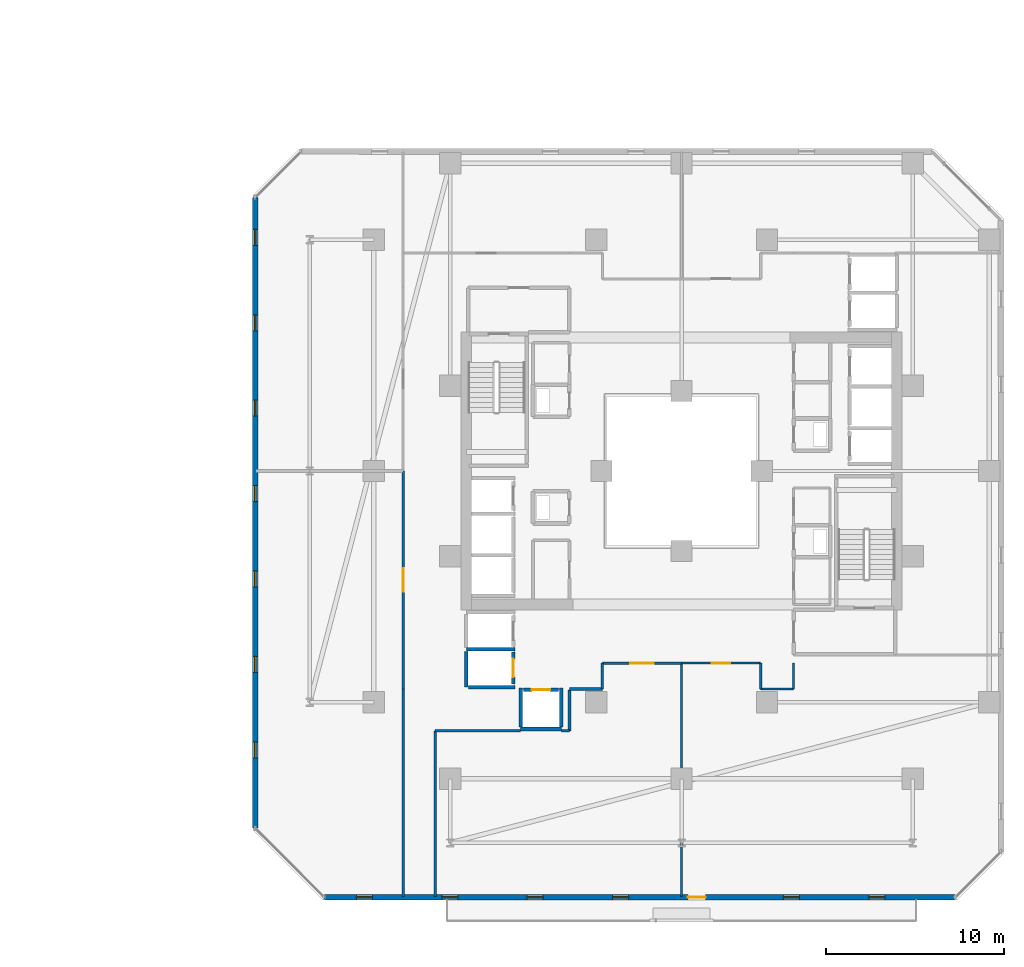
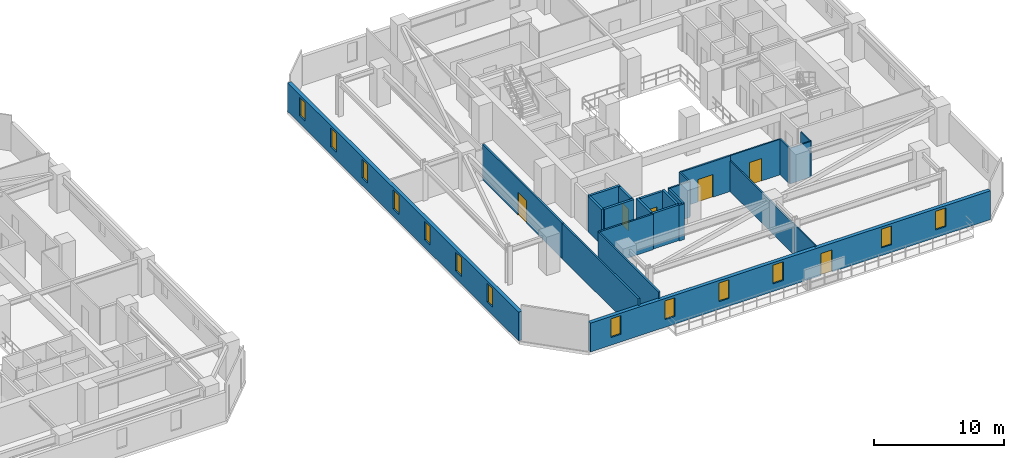
# One storey, part 23 of 33: 24 walls, 13 windows, 6 doors, 19 openings.
"""IFC4 building model written with IfcOpenShell, lengths in metres."""

from ifc_helpers import new_model, si_unit, direction, frame, frame_2d, origin, place, context, subcontext, project, spatial, rectangle, extrude, material, layer, layer_set, type_object, element, fill, save


model = new_model("IFC4")

# Units and contexts
model_context = context("Model", 3, precision=1e-05, world=origin(), true_north=direction((0.0, 1.0)))
body_context = subcontext(model_context, "Body", "Model", "MODEL_VIEW")
ifc_project = project(units=[si_unit("LENGTHUNIT", "METRE"), si_unit("AREAUNIT", "SQUARE_METRE"), si_unit("VOLUMEUNIT", "CUBIC_METRE"), si_unit("PLANEANGLEUNIT", "RADIAN"), si_unit("MASSUNIT", "GRAM", prefix="KILO")], contexts=[model_context])

# Site, building, storey
site_placement = place(None, origin())
site = spatial("IfcSite", under=ifc_project, at=site_placement, CompositionType="ELEMENT")
building_placement = place(site_placement, origin())
building = spatial("IfcBuilding", under=site, at=building_placement, Name="Thornwick Lancets Civic Towers", CompositionType="ELEMENT")
storey_placement = place(building_placement, frame((0.0, 0.0, 101.699951171875)))
storey = spatial("IfcBuildingStorey", under=building, at=storey_placement, Name="L26", CompositionType="ELEMENT", Elevation=101.699951171875)

# Wall, opening, door
ifc_material_1 = material(Name="Concrete blockwork C40/50", Category="masonry")
ifc_layer_1 = layer(ifc_material_1, 0.199951171875, Name="Concrete blockwork C40/50")
ifc_layer_set_1 = layer_set([ifc_layer_1], Name="Concrete blockwork C40/50")
wall_type_1 = type_object("IfcWallType", Name="WALL_COMP_200", PredefinedType="STANDARD", material=ifc_layer_set_1)
wall_1_placement = place(storey_placement, frame((79.050048828125, 15.030029296875, 0.0), z_axis=(0.0, 0.0, 1.0), x_axis=(0.0, 1.0, 0.0)))
wall_1 = element("IfcWall", 1, at=wall_1_placement, inside=storey, type_object=wall_type_1, Name="L26 Hoistway Front Wall PL-BM2", PredefinedType="STANDARD", context=body_context, shape_type="SweptSolid", body=[
    extrude(rectangle(XDim=1.7900390625, YDim=0.199951171875, at=frame_2d((0.89501953125, 0.0))), origin(), (0.0, 0.0, 1.0), 3.340087890625),
])
opening_1_placement = place(wall_1_placement, frame((0.385009765625, 0.0, 0.0)))
opening_1 = element("IfcOpeningElement", 2, at=opening_1_placement, cuts=wall_1, Name="Opening LD-PL-BM2", PredefinedType="OPENING", context=body_context, shape_type="SweptSolid", body=[
    extrude(rectangle(XDim=1.02001953125, YDim=2.06005859375, at=frame_2d((0.510009765625, 1.030029296875))), frame((0.0, 0.10986328125, 0.0), z_axis=(0.0, -1.0, 0.0), x_axis=(1.0, 0.0, 0.0)), (0.0, 0.0, 1.0), 0.219970703125),
])
ifc_material_2 = material(Name="Brushed bronze stainless steel", Category="steel")
door_type_1 = type_object("IfcDoorType", Name="DOOR_LIFT_SLIDE", OperationType="SLIDING_TO_LEFT", PredefinedType="DOOR", material=ifc_material_2)
door_1_placement = place(opening_1_placement, origin())
door_1 = element("IfcDoor", 3, at=door_1_placement, inside=storey, type_object=door_type_1, Name="L26 Sliding Lift Landing Door LD-PL-BM2", OperationType="SLIDING_TO_LEFT", OverallHeight=2.06005859375, OverallWidth=1.02001953125, PredefinedType="DOOR", context=body_context, shape_type="SweptSolid", body=[
    extrude(rectangle(XDim=1.02001953125, YDim=2.06005859375, at=frame_2d((0.510009765625, 1.030029296875))), frame((0.0, 0.02490234375, 0.0), z_axis=(0.0, -1.0, 0.0), x_axis=(1.0, 0.0, 0.0)), (0.0, 0.0, 1.0), 0.050048828125),
])
fill(opening_1, door_1)

wall_2_placement = place(storey_placement, frame((79.6298828125, 14.699951171875, 0.0), z_axis=(0.0, 0.0, 1.0), x_axis=(1.0, 0.0, 0.0)))
wall_2 = element("IfcWall", 4, at=wall_2_placement, inside=storey, type_object=wall_type_1, Name="L26 Hoistway Front Wall PL-BM3", PredefinedType="STANDARD", context=body_context, shape_type="SweptSolid", body=[
    extrude(rectangle(XDim=1.940185546875, YDim=0.199951171875, at=frame_2d((0.97021484375, 0.0))), origin(), (0.0, 0.0, 1.0), 3.340087890625),
])
opening_2_placement = place(wall_2_placement, frame((0.4599609375, 0.0, 0.0)))
opening_2 = element("IfcOpeningElement", 5, at=opening_2_placement, cuts=wall_2, Name="Opening LD-PL-BM3", PredefinedType="OPENING", context=body_context, shape_type="SweptSolid", body=[
    extrude(rectangle(XDim=1.02001953125, YDim=2.06005859375, at=frame_2d((0.510009765625, 1.030029296875))), frame((0.0, 0.10986328125, 0.0), z_axis=(0.0, -1.0, 0.0), x_axis=(1.0, 0.0, 0.0)), (0.0, 0.0, 1.0), 0.219970703125),
])
door_2_placement = place(opening_2_placement, origin())
door_2 = element("IfcDoor", 6, at=door_2_placement, inside=storey, type_object=door_type_1, Name="L26 Sliding Lift Landing Door LD-PL-BM3", OperationType="SLIDING_TO_LEFT", OverallHeight=2.06005859375, OverallWidth=1.02001953125, PredefinedType="DOOR", context=body_context, shape_type="SweptSolid", body=[
    extrude(rectangle(XDim=1.02001953125, YDim=2.06005859375, at=frame_2d((0.510009765625, 1.030029296875))), frame((0.0, 0.02490234375, 0.0), z_axis=(0.0, -1.0, 0.0), x_axis=(1.0, 0.0, 0.0)), (0.0, 0.0, 1.0), 0.050048828125),
])
fill(opening_2, door_2)

# Walls
wall_3_placement = place(storey_placement, frame((76.402099609375, 16.97509765625, 0.0), z_axis=(0.0, 0.0, 1.0), x_axis=(1.0, 0.0, 0.0)))
element("IfcWall", 7, at=wall_3_placement, inside=storey, type_object=wall_type_1, Name="L26 Hoistway Shaft Wall PL-BM1 S", PredefinedType="STANDARD", context=body_context, shape_type="SweptSolid", body=[
    extrude(rectangle(XDim=2.745849609375, YDim=0.199951171875, at=frame_2d((1.373046875, 0.0))), origin(), (0.0, 0.0, 1.0), 3.340087890625),
])
wall_4_placement = place(storey_placement, frame((76.39990234375, 14.85205078125, 0.0), z_axis=(0.0, 0.0, 1.0), x_axis=(0.0, 1.0, 0.0)))
element("IfcWall", 8, at=wall_4_placement, inside=storey, type_object=wall_type_1, Name="L26 Hoistway Shaft Wall PL-BM1 W", PredefinedType="STANDARD", context=body_context, shape_type="SweptSolid", body=[
    extrude(rectangle(XDim=2.015869140625, YDim=0.199951171875, at=frame_2d((1.0078125, 0.0))), origin(), (0.0, 0.0, 1.0), 3.340087890625),
])
wall_5_placement = place(storey_placement, frame((76.511962890625, 14.85009765625, 0.0), z_axis=(0.0, 0.0, 1.0), x_axis=(1.0, 0.0, 0.0)))
element("IfcWall", 9, at=wall_5_placement, inside=storey, type_object=wall_type_1, Name="L26 Hoistway Shaft Wall PL-BM2 S", PredefinedType="STANDARD", context=body_context, shape_type="SweptSolid", body=[
    extrude(rectangle(XDim=2.635986328125, YDim=0.199951171875, at=frame_2d((1.31787109375, 0.0))), origin(), (0.0, 0.0, 1.0), 3.340087890625),
])
wall_6_placement = place(storey_placement, frame((79.451904296875, 12.5, 0.0), z_axis=(0.0, 0.0, 1.0), x_axis=(1.0, 0.0, 0.0)))
element("IfcWall", 10, at=wall_6_placement, inside=storey, type_object=wall_type_1, Name="L26 Hoistway Shaft Wall PL-BM3 S", PredefinedType="STANDARD", context=body_context, shape_type="SweptSolid", body=[
    extrude(rectangle(XDim=2.296142578125, YDim=0.199951171875, at=frame_2d((1.14794921875, 0.0))), origin(), (0.0, 0.0, 1.0), 3.340087890625),
])
for number, where, z_axis, x_axis, name in (
    (11, (81.75, 12.612060546875, 0.0), (0.0, 0.0, 1.0), (0.0, 1.0, 0.0), "L26 Hoistway Shaft Wall PL-BM3 E"),
    (12, (79.449951171875, 12.612060546875, 0.0), (0.0, 0.0, 1.0), (0.0, 1.0, 0.0), "L26 Hoistway Shaft Wall PL-BM3 W"),
):
    element("IfcWall", number, at=place(storey_placement, frame(where, z_axis=z_axis, x_axis=x_axis)), inside=storey, type_object=wall_type_1, Name=name, PredefinedType="STANDARD", context=body_context, shape_type="SweptSolid", body=[
        extrude(rectangle(XDim=2.18603515625, YDim=0.199951171875, at=frame_2d((1.093017578125, 0.0))), origin(), (0.0, 0.0, 1.0), 3.340087890625),
    ])

# Wall, openings, door, windows
ifc_material_3 = material(Name="Insulated buff terracotta rainscreen on concrete C40/50", Category="masonry")
ifc_layer_2 = layer(ifc_material_3, 0.320068359375, Name="Insulated buff terracotta rainscreen on concrete C40/50")
ifc_layer_set_2 = layer_set([ifc_layer_2], Name="Insulated buff terracotta rainscreen on concrete C40/50")
wall_type_2 = type_object("IfcWallType", Name="WALL_EXT_TERRA_320", PredefinedType="STANDARD", material=ifc_layer_set_2)
wall_7_placement = place(storey_placement, frame((68.422607421875, 3.03955078125, 0.0), z_axis=(0.0, 0.0, 1.0), x_axis=(0.99999999315, -0.00011704845, 0.0)))
wall_7 = element("IfcWall", 13, at=wall_7_placement, inside=storey, type_object=wall_type_2, Name="L26 Tower B Terracotta Facade Wall E0", PredefinedType="STANDARD", context=body_context, shape_type="SweptSolid", body=[
    extrude(rectangle(XDim=35.458740234375, YDim=0.320068359375, at=frame_2d((17.7294921875, 0.0))), origin(), (0.0, 0.0, 1.0), 2.699951171875),
])
opening_3_placement = place(wall_7_placement, frame((20.42919921875, 0.0, 0.0)))
opening_3 = element("IfcOpeningElement", 14, at=opening_3_placement, cuts=wall_7, Name="Opening D-BL-L26-BS", PredefinedType="OPENING", context=body_context, shape_type="SweptSolid", body=[
    extrude(rectangle(XDim=1.0, YDim=2.080078125, at=frame_2d((0.5, 1.0400390625))), frame((0.0, 0.169921875, 0.0), z_axis=(0.0, -1.0, 0.0), x_axis=(1.0, 0.0, 0.0)), (0.0, 0.0, 1.0), 0.340087890625),
])
opening_4_placement = place(wall_7_placement, frame((1.800048828125, 0.0, 0.719970703125)))
opening_4 = element("IfcOpeningElement", 15, at=opening_4_placement, cuts=wall_7, Name="Opening WL-01", PredefinedType="OPENING", context=body_context, shape_type="SweptSolid", body=[
    extrude(rectangle(XDim=0.89990234375, YDim=1.75, at=frame_2d((0.449951171875, 0.875))), frame((0.0, 0.169921875, 0.0), z_axis=(0.0, -1.0, 0.0), x_axis=(1.0, 0.0, 0.0)), (0.0, 0.0, 1.0), 0.340087890625),
])
opening_5_placement = place(wall_7_placement, frame((6.60009765625, 0.0, 0.719970703125)))
opening_5 = element("IfcOpeningElement", 16, at=opening_5_placement, cuts=wall_7, Name="Opening WL-01", PredefinedType="OPENING", context=body_context, shape_type="SweptSolid", body=[
    extrude(rectangle(XDim=0.89990234375, YDim=1.75, at=frame_2d((0.449951171875, 0.875))), frame((0.0, 0.169921875, 0.0), z_axis=(0.0, -1.0, 0.0), x_axis=(1.0, 0.0, 0.0)), (0.0, 0.0, 1.0), 0.340087890625),
])
opening_6_placement = place(wall_7_placement, frame((11.39990234375, 0.0, 0.719970703125)))
opening_6 = element("IfcOpeningElement", 17, at=opening_6_placement, cuts=wall_7, Name="Opening WL-01", PredefinedType="OPENING", context=body_context, shape_type="SweptSolid", body=[
    extrude(rectangle(XDim=0.89990234375, YDim=1.75, at=frame_2d((0.449951171875, 0.875))), frame((0.0, 0.169921875, 0.0), z_axis=(0.0, -1.0, 0.0), x_axis=(1.0, 0.0, 0.0)), (0.0, 0.0, 1.0), 0.340087890625),
])
opening_7_placement = place(wall_7_placement, frame((16.199951171875, 0.0, 0.719970703125)))
opening_7 = element("IfcOpeningElement", 18, at=opening_7_placement, cuts=wall_7, Name="Opening WL-01", PredefinedType="OPENING", context=body_context, shape_type="SweptSolid", body=[
    extrude(rectangle(XDim=0.89990234375, YDim=1.75, at=frame_2d((0.449951171875, 0.875))), frame((0.0, 0.169921875, 0.0), z_axis=(0.0, -1.0, 0.0), x_axis=(1.0, 0.0, 0.0)), (0.0, 0.0, 1.0), 0.340087890625),
])
opening_8_placement = place(wall_7_placement, frame((25.800048828125, 0.0, 0.719970703125)))
opening_8 = element("IfcOpeningElement", 19, at=opening_8_placement, cuts=wall_7, Name="Opening WL-01", PredefinedType="OPENING", context=body_context, shape_type="SweptSolid", body=[
    extrude(rectangle(XDim=0.89990234375, YDim=1.75, at=frame_2d((0.449951171875, 0.875))), frame((0.0, 0.169921875, 0.0), z_axis=(0.0, -1.0, 0.0), x_axis=(1.0, 0.0, 0.0)), (0.0, 0.0, 1.0), 0.340087890625),
])
opening_9_placement = place(wall_7_placement, frame((30.60009765625, 0.0, 0.719970703125)))
opening_9 = element("IfcOpeningElement", 20, at=opening_9_placement, cuts=wall_7, Name="Opening WL-01", PredefinedType="OPENING", context=body_context, shape_type="SweptSolid", body=[
    extrude(rectangle(XDim=0.89990234375, YDim=1.75, at=frame_2d((0.449951171875, 0.875))), frame((0.0, 0.169921875, 0.0), z_axis=(0.0, -1.0, 0.0), x_axis=(1.0, 0.0, 0.0)), (0.0, 0.0, 1.0), 0.340087890625),
])
ifc_material_4 = material(Name="Thermally broken glazed loggia doorset")
door_type_2 = type_object("IfcDoorType", Name="DOOR_BALC_1000", OperationType="NOTDEFINED", PredefinedType="DOOR", material=ifc_material_4)
door_3_placement = place(opening_3_placement, origin())
door_3 = element("IfcDoor", 21, at=door_3_placement, inside=storey, type_object=door_type_2, Name="L26 Tower B Loggia Balcony Door S", OperationType="SINGLE_SWING_LEFT", OverallHeight=2.080078125, OverallWidth=1.0, PredefinedType="DOOR", context=body_context, shape_type="SweptSolid", body=[
    extrude(rectangle(XDim=1.0, YDim=2.080078125, at=frame_2d((0.5, 1.0400390625))), frame((0.0, 0.02490234375, 0.0), z_axis=(0.0, -1.0, 0.0), x_axis=(1.0, 0.0, 0.0)), (0.0, 0.0, 1.0), 0.050048828125),
])
fill(opening_3, door_3)
ifc_material_5 = material(Name="Clear low-e double glazing in bronze frame", Category="glass")
window_type = type_object("IfcWindowType", Name="WIN_LANCET_900", PartitioningType="SINGLE_PANEL", PredefinedType="WINDOW", material=ifc_material_5)
window_1_placement = place(opening_4_placement, origin())
window_1 = element("IfcWindow", 22, at=window_1_placement, inside=storey, type_object=window_type, Name="L26 Tower B Staggered Lancet Window E0-1", OverallHeight=1.75, OverallWidth=0.89990234375, PartitioningType="SINGLE_PANEL", PredefinedType="WINDOW", context=body_context, shape_type="SweptSolid", body=[
    extrude(rectangle(XDim=0.89990234375, YDim=1.75, at=frame_2d((0.449951171875, 0.875))), frame((0.0, 0.030029296875, 0.0), z_axis=(0.0, -1.0, 0.0), x_axis=(1.0, 0.0, 0.0)), (0.0, 0.0, 1.0), 0.06005859375),
])
fill(opening_4, window_1)
window_2_placement = place(opening_5_placement, origin())
window_2 = element("IfcWindow", 23, at=window_2_placement, inside=storey, type_object=window_type, Name="L26 Tower B Staggered Lancet Window E0-2", OverallHeight=1.75, OverallWidth=0.89990234375, PartitioningType="SINGLE_PANEL", PredefinedType="WINDOW", context=body_context, shape_type="SweptSolid", body=[
    extrude(rectangle(XDim=0.89990234375, YDim=1.75, at=frame_2d((0.449951171875, 0.875))), frame((0.0, 0.030029296875, 0.0), z_axis=(0.0, -1.0, 0.0), x_axis=(1.0, 0.0, 0.0)), (0.0, 0.0, 1.0), 0.06005859375),
])
fill(opening_5, window_2)
window_3_placement = place(opening_6_placement, origin())
window_3 = element("IfcWindow", 24, at=window_3_placement, inside=storey, type_object=window_type, Name="L26 Tower B Staggered Lancet Window E0-3", OverallHeight=1.75, OverallWidth=0.89990234375, PartitioningType="SINGLE_PANEL", PredefinedType="WINDOW", context=body_context, shape_type="SweptSolid", body=[
    extrude(rectangle(XDim=0.89990234375, YDim=1.75, at=frame_2d((0.449951171875, 0.875))), frame((0.0, 0.030029296875, 0.0), z_axis=(0.0, -1.0, 0.0), x_axis=(1.0, 0.0, 0.0)), (0.0, 0.0, 1.0), 0.06005859375),
])
fill(opening_6, window_3)
window_4_placement = place(opening_7_placement, origin())
window_4 = element("IfcWindow", 25, at=window_4_placement, inside=storey, type_object=window_type, Name="L26 Tower B Staggered Lancet Window E0-4", OverallHeight=1.75, OverallWidth=0.89990234375, PartitioningType="SINGLE_PANEL", PredefinedType="WINDOW", context=body_context, shape_type="SweptSolid", body=[
    extrude(rectangle(XDim=0.89990234375, YDim=1.75, at=frame_2d((0.449951171875, 0.875))), frame((0.0, 0.030029296875, 0.0), z_axis=(0.0, -1.0, 0.0), x_axis=(1.0, 0.0, 0.0)), (0.0, 0.0, 1.0), 0.06005859375),
])
fill(opening_7, window_4)
window_5_placement = place(opening_8_placement, origin())
window_5 = element("IfcWindow", 26, at=window_5_placement, inside=storey, type_object=window_type, Name="L26 Tower B Staggered Lancet Window E0-5", OverallHeight=1.75, OverallWidth=0.89990234375, PartitioningType="SINGLE_PANEL", PredefinedType="WINDOW", context=body_context, shape_type="SweptSolid", body=[
    extrude(rectangle(XDim=0.89990234375, YDim=1.75, at=frame_2d((0.449951171875, 0.875))), frame((0.0, 0.030029296875, 0.0), z_axis=(0.0, -1.0, 0.0), x_axis=(1.0, 0.0, 0.0)), (0.0, 0.0, 1.0), 0.06005859375),
])
fill(opening_8, window_5)
window_6_placement = place(opening_9_placement, origin())
window_6 = element("IfcWindow", 27, at=window_6_placement, inside=storey, type_object=window_type, Name="L26 Tower B Staggered Lancet Window E0-6", OverallHeight=1.75, OverallWidth=0.89990234375, PartitioningType="SINGLE_PANEL", PredefinedType="WINDOW", context=body_context, shape_type="SweptSolid", body=[
    extrude(rectangle(XDim=0.89990234375, YDim=1.75, at=frame_2d((0.449951171875, 0.875))), frame((0.0, 0.030029296875, 0.0), z_axis=(0.0, -1.0, 0.0), x_axis=(1.0, 0.0, 0.0)), (0.0, 0.0, 1.0), 0.06005859375),
])
fill(opening_9, window_6)

# Wall, openings, windows
wall_8_placement = place(storey_placement, frame((64.535400390625, 42.38134765625, 0.0), z_axis=(0.0, 0.0, 1.0), x_axis=(0.00011704845, -0.99999999315, 0.0)))
wall_8 = element("IfcWall", 28, at=wall_8_placement, inside=storey, type_object=wall_type_2, Name="L26 Tower B Terracotta Facade Wall E6", PredefinedType="STANDARD", context=body_context, shape_type="SweptSolid", body=[
    extrude(rectangle(XDim=35.458740234375, YDim=0.320068359375, at=frame_2d((17.7294921875, 0.0))), origin(), (0.0, 0.0, 1.0), 2.699951171875),
])
opening_10_placement = place(wall_8_placement, frame((1.800048828125, 0.0, 0.719970703125)))
opening_10 = element("IfcOpeningElement", 29, at=opening_10_placement, cuts=wall_8, Name="Opening WL-01", PredefinedType="OPENING", context=body_context, shape_type="SweptSolid", body=[
    extrude(rectangle(XDim=0.89990234375, YDim=1.75, at=frame_2d((0.449951171875, 0.875))), frame((0.0, 0.169921875, 0.0), z_axis=(0.0, -1.0, 0.0), x_axis=(1.0, 0.0, 0.0)), (0.0, 0.0, 1.0), 0.340087890625),
])
opening_11_placement = place(wall_8_placement, frame((6.60009765625, 0.0, 0.719970703125)))
opening_11 = element("IfcOpeningElement", 30, at=opening_11_placement, cuts=wall_8, Name="Opening WL-01", PredefinedType="OPENING", context=body_context, shape_type="SweptSolid", body=[
    extrude(rectangle(XDim=0.89990234375, YDim=1.75, at=frame_2d((0.449951171875, 0.875))), frame((0.0, 0.169921875, 0.0), z_axis=(0.0, -1.0, 0.0), x_axis=(1.0, 0.0, 0.0)), (0.0, 0.0, 1.0), 0.340087890625),
])
opening_12_placement = place(wall_8_placement, frame((11.39990234375, 0.0, 0.719970703125)))
opening_12 = element("IfcOpeningElement", 31, at=opening_12_placement, cuts=wall_8, Name="Opening WL-01", PredefinedType="OPENING", context=body_context, shape_type="SweptSolid", body=[
    extrude(rectangle(XDim=0.89990234375, YDim=1.75, at=frame_2d((0.449951171875, 0.875))), frame((0.0, 0.169921875, 0.0), z_axis=(0.0, -1.0, 0.0), x_axis=(1.0, 0.0, 0.0)), (0.0, 0.0, 1.0), 0.340087890625),
])
opening_13_placement = place(wall_8_placement, frame((16.199951171875, 0.0, 0.719970703125)))
opening_13 = element("IfcOpeningElement", 32, at=opening_13_placement, cuts=wall_8, Name="Opening WL-01", PredefinedType="OPENING", context=body_context, shape_type="SweptSolid", body=[
    extrude(rectangle(XDim=0.89990234375, YDim=1.75, at=frame_2d((0.449951171875, 0.875))), frame((0.0, 0.169921875, 0.0), z_axis=(0.0, -1.0, 0.0), x_axis=(1.0, 0.0, 0.0)), (0.0, 0.0, 1.0), 0.340087890625),
])
opening_14_placement = place(wall_8_placement, frame((21.0, 0.0, 0.719970703125)))
opening_14 = element("IfcOpeningElement", 33, at=opening_14_placement, cuts=wall_8, Name="Opening WL-01", PredefinedType="OPENING", context=body_context, shape_type="SweptSolid", body=[
    extrude(rectangle(XDim=0.89990234375, YDim=1.75, at=frame_2d((0.449951171875, 0.875))), frame((0.0, 0.169921875, 0.0), z_axis=(0.0, -1.0, 0.0), x_axis=(1.0, 0.0, 0.0)), (0.0, 0.0, 1.0), 0.340087890625),
])
opening_15_placement = place(wall_8_placement, frame((25.800048828125, 0.0, 0.719970703125)))
opening_15 = element("IfcOpeningElement", 34, at=opening_15_placement, cuts=wall_8, Name="Opening WL-01", PredefinedType="OPENING", context=body_context, shape_type="SweptSolid", body=[
    extrude(rectangle(XDim=0.89990234375, YDim=1.75, at=frame_2d((0.449951171875, 0.875))), frame((0.0, 0.169921875, 0.0), z_axis=(0.0, -1.0, 0.0), x_axis=(1.0, 0.0, 0.0)), (0.0, 0.0, 1.0), 0.340087890625),
])
opening_16_placement = place(wall_8_placement, frame((30.60009765625, 0.0, 0.719970703125)))
opening_16 = element("IfcOpeningElement", 35, at=opening_16_placement, cuts=wall_8, Name="Opening WL-01", PredefinedType="OPENING", context=body_context, shape_type="SweptSolid", body=[
    extrude(rectangle(XDim=0.89990234375, YDim=1.75, at=frame_2d((0.449951171875, 0.875))), frame((0.0, 0.169921875, 0.0), z_axis=(0.0, -1.0, 0.0), x_axis=(1.0, 0.0, 0.0)), (0.0, 0.0, 1.0), 0.340087890625),
])
window_7_placement = place(opening_10_placement, origin())
window_7 = element("IfcWindow", 36, at=window_7_placement, inside=storey, type_object=window_type, Name="L26 Tower B Staggered Lancet Window E6-1", OverallHeight=1.75, OverallWidth=0.89990234375, PartitioningType="SINGLE_PANEL", PredefinedType="WINDOW", context=body_context, shape_type="SweptSolid", body=[
    extrude(rectangle(XDim=0.89990234375, YDim=1.75, at=frame_2d((0.449951171875, 0.875))), frame((0.0, 0.030029296875, 0.0), z_axis=(0.0, -1.0, 0.0), x_axis=(1.0, 0.0, 0.0)), (0.0, 0.0, 1.0), 0.06005859375),
])
fill(opening_10, window_7)
window_8_placement = place(opening_11_placement, origin())
window_8 = element("IfcWindow", 37, at=window_8_placement, inside=storey, type_object=window_type, Name="L26 Tower B Staggered Lancet Window E6-2", OverallHeight=1.75, OverallWidth=0.89990234375, PartitioningType="SINGLE_PANEL", PredefinedType="WINDOW", context=body_context, shape_type="SweptSolid", body=[
    extrude(rectangle(XDim=0.89990234375, YDim=1.75, at=frame_2d((0.449951171875, 0.875))), frame((0.0, 0.030029296875, 0.0), z_axis=(0.0, -1.0, 0.0), x_axis=(1.0, 0.0, 0.0)), (0.0, 0.0, 1.0), 0.06005859375),
])
fill(opening_11, window_8)
window_9_placement = place(opening_12_placement, origin())
window_9 = element("IfcWindow", 38, at=window_9_placement, inside=storey, type_object=window_type, Name="L26 Tower B Staggered Lancet Window E6-3", OverallHeight=1.75, OverallWidth=0.89990234375, PartitioningType="SINGLE_PANEL", PredefinedType="WINDOW", context=body_context, shape_type="SweptSolid", body=[
    extrude(rectangle(XDim=0.89990234375, YDim=1.75, at=frame_2d((0.449951171875, 0.875))), frame((0.0, 0.030029296875, 0.0), z_axis=(0.0, -1.0, 0.0), x_axis=(1.0, 0.0, 0.0)), (0.0, 0.0, 1.0), 0.06005859375),
])
fill(opening_12, window_9)
window_10_placement = place(opening_13_placement, origin())
window_10 = element("IfcWindow", 39, at=window_10_placement, inside=storey, type_object=window_type, Name="L26 Tower B Staggered Lancet Window E6-4", OverallHeight=1.75, OverallWidth=0.89990234375, PartitioningType="SINGLE_PANEL", PredefinedType="WINDOW", context=body_context, shape_type="SweptSolid", body=[
    extrude(rectangle(XDim=0.89990234375, YDim=1.75, at=frame_2d((0.449951171875, 0.875))), frame((0.0, 0.030029296875, 0.0), z_axis=(0.0, -1.0, 0.0), x_axis=(1.0, 0.0, 0.0)), (0.0, 0.0, 1.0), 0.06005859375),
])
fill(opening_13, window_10)
window_11_placement = place(opening_14_placement, origin())
window_11 = element("IfcWindow", 40, at=window_11_placement, inside=storey, type_object=window_type, Name="L26 Tower B Staggered Lancet Window E6-5", OverallHeight=1.75, OverallWidth=0.89990234375, PartitioningType="SINGLE_PANEL", PredefinedType="WINDOW", context=body_context, shape_type="SweptSolid", body=[
    extrude(rectangle(XDim=0.89990234375, YDim=1.75, at=frame_2d((0.449951171875, 0.875))), frame((0.0, 0.030029296875, 0.0), z_axis=(0.0, -1.0, 0.0), x_axis=(1.0, 0.0, 0.0)), (0.0, 0.0, 1.0), 0.06005859375),
])
fill(opening_14, window_11)
window_12_placement = place(opening_15_placement, origin())
window_12 = element("IfcWindow", 41, at=window_12_placement, inside=storey, type_object=window_type, Name="L26 Tower B Staggered Lancet Window E6-6", OverallHeight=1.75, OverallWidth=0.89990234375, PartitioningType="SINGLE_PANEL", PredefinedType="WINDOW", context=body_context, shape_type="SweptSolid", body=[
    extrude(rectangle(XDim=0.89990234375, YDim=1.75, at=frame_2d((0.449951171875, 0.875))), frame((0.0, 0.030029296875, 0.0), z_axis=(0.0, -1.0, 0.0), x_axis=(1.0, 0.0, 0.0)), (0.0, 0.0, 1.0), 0.06005859375),
])
fill(opening_15, window_12)
window_13_placement = place(opening_16_placement, origin())
window_13 = element("IfcWindow", 42, at=window_13_placement, inside=storey, type_object=window_type, Name="L26 Tower B Staggered Lancet Window E6-7", OverallHeight=1.75, OverallWidth=0.89990234375, PartitioningType="SINGLE_PANEL", PredefinedType="WINDOW", context=body_context, shape_type="SweptSolid", body=[
    extrude(rectangle(XDim=0.89990234375, YDim=1.75, at=frame_2d((0.449951171875, 0.875))), frame((0.0, 0.030029296875, 0.0), z_axis=(0.0, -1.0, 0.0), x_axis=(1.0, 0.0, 0.0)), (0.0, 0.0, 1.0), 0.06005859375),
])
fill(opening_16, window_13)

# Walls
ifc_material_6 = material(Name="Acoustic gypsum board partition")
ifc_layer_3 = layer(ifc_material_6, 0.1201171875, Name="Acoustic gypsum board partition")
ifc_layer_set_3 = layer_set([ifc_layer_3], Name="Acoustic gypsum board partition")
wall_type_3 = type_object("IfcWallType", Name="WALL_PART_120", PredefinedType="PARTITIONING", material=ifc_layer_set_3)
wall_9_placement = place(storey_placement, frame((92.949951171875, 16.199951171875, 0.0), z_axis=(0.0, 0.0, 1.0), x_axis=(0.0, -1.0, 0.0)))
element("IfcWall", 43, at=wall_9_placement, inside=storey, type_object=wall_type_3, Name="L26 Partition L26-B-W1 E1", PredefinedType="PARTITIONING", context=body_context, shape_type="SweptSolid", body=[
    extrude(rectangle(XDim=1.449951171875, YDim=0.1201171875, at=frame_2d((0.72509765625, 0.0))), origin(), (0.0, 0.0, 1.0), 3.340087890625),
])
wall_10_placement = place(storey_placement, frame((92.949951171875, 14.75, 0.0), z_axis=(0.0, 0.0, 1.0), x_axis=(1.0, 0.0, 0.0)))
element("IfcWall", 44, at=wall_10_placement, inside=storey, type_object=wall_type_3, Name="L26 Partition L26-B-W1 E2", PredefinedType="PARTITIONING", context=body_context, shape_type="SweptSolid", body=[
    extrude(rectangle(XDim=1.85009765625, YDim=0.1201171875, at=frame_2d((0.925048828125, 0.0))), origin(), (0.0, 0.0, 1.0), 3.340087890625),
])
wall_11_placement = place(storey_placement, frame((94.800048828125, 14.75, 0.0), z_axis=(0.0, 0.0, 1.0), x_axis=(0.0, 1.0, 0.0)))
element("IfcWall", 45, at=wall_11_placement, inside=storey, type_object=wall_type_3, Name="L26 Partition L26-B-W1 E3", PredefinedType="PARTITIONING", context=body_context, shape_type="SweptSolid", body=[
    extrude(rectangle(XDim=1.449951171875, YDim=0.1201171875, at=frame_2d((0.72509765625, 0.0))), origin(), (0.0, 0.0, 1.0), 3.340087890625),
])
wall_12_placement = place(storey_placement, frame((88.5, 3.080078125, 0.0), z_axis=(0.0, 0.0, 1.0), x_axis=(0.0, 1.0, 0.0)))
element("IfcWall", 46, at=wall_12_placement, inside=storey, type_object=wall_type_3, Name="L26 Partition L26-B-W1 E9", PredefinedType="PARTITIONING", context=body_context, shape_type="SweptSolid", body=[
    extrude(rectangle(XDim=13.119873046875, YDim=0.1201171875, at=frame_2d((6.56005859375, 0.0))), origin(), (0.0, 0.0, 1.0), 2.8779296875),
])

# Wall, opening, door
wall_13_placement = place(storey_placement, frame((88.5, 16.199951171875, 0.0), z_axis=(0.0, 0.0, 1.0), x_axis=(1.0, 0.0, 0.0)))
wall_13 = element("IfcWall", 47, at=wall_13_placement, inside=storey, type_object=wall_type_3, Name="L26 Partition L26-B-W1 E10", PredefinedType="PARTITIONING", context=body_context, shape_type="SweptSolid", body=[
    extrude(rectangle(XDim=4.449951171875, YDim=0.1201171875, at=frame_2d((2.22509765625, 0.0))), origin(), (0.0, 0.0, 1.0), 3.340087890625),
])
opening_17_placement = place(wall_13_placement, frame((1.699951171875, 0.0, 0.0)))
opening_17 = element("IfcOpeningElement", 48, at=opening_17_placement, cuts=wall_13, Name="Opening D-L26-1223", PredefinedType="OPENING", context=body_context, shape_type="SweptSolid", body=[
    extrude(rectangle(XDim=1.050048828125, YDim=2.10009765625, at=frame_2d((0.52490234375, 1.050048828125))), frame((0.0, 0.070068359375, 0.0), z_axis=(0.0, -1.0, 0.0), x_axis=(1.0, 0.0, 0.0)), (0.0, 0.0, 1.0), 0.14013671875),
])
ifc_material_7 = material(Name="Glazed European oak executive doorset")
door_type_3 = type_object("IfcDoorType", Name="DOOR_OFFICE_1050", OperationType="NOTDEFINED", PredefinedType="DOOR", material=ifc_material_7)
door_4_placement = place(opening_17_placement, origin())
door_4 = element("IfcDoor", 49, at=door_4_placement, inside=storey, type_object=door_type_3, Name="L26 Tower B Ministry Directorate Office W1 Door", OperationType="SINGLE_SWING_RIGHT", OverallHeight=2.10009765625, OverallWidth=1.050048828125, PredefinedType="DOOR", context=body_context, shape_type="SweptSolid", body=[
    extrude(rectangle(XDim=1.050048828125, YDim=2.10009765625, at=frame_2d((0.52490234375, 1.050048828125))), frame((0.0, 0.02490234375, 0.0), z_axis=(0.0, -1.0, 0.0), x_axis=(1.0, 0.0, 0.0)), (0.0, 0.0, 1.0), 0.050048828125),
])
fill(opening_17, door_4)

# Walls
ifc_material_8 = material(Name="Twin-stud acoustic gypsum board")
ifc_layer_4 = layer(ifc_material_8, 0.14990234375, Name="Twin-stud acoustic gypsum board")
ifc_layer_set_4 = layer_set([ifc_layer_4], Name="Twin-stud acoustic gypsum board")
wall_type_4 = type_object("IfcWallType", Name="WALL_PART_150", PredefinedType="PARTITIONING", material=ifc_layer_set_4)
wall_14_placement = place(storey_placement, frame((82.199951171875, 12.39990234375, 0.0), z_axis=(0.0, 0.0, 1.0), x_axis=(0.0, 1.0, 0.0)))
element("IfcWall", 50, at=wall_14_placement, inside=storey, type_object=wall_type_4, Name="L26 Partition L26-B-W2 E1", PredefinedType="PARTITIONING", context=body_context, shape_type="SweptSolid", body=[
    extrude(rectangle(XDim=2.300048828125, YDim=0.14990234375, at=frame_2d((1.14990234375, 0.0))), origin(), (0.0, 0.0, 1.0), 3.340087890625),
])
wall_15_placement = place(storey_placement, frame((82.199951171875, 14.75, 0.0), z_axis=(0.0, 0.0, 1.0), x_axis=(1.0, 0.0, 0.0)))
element("IfcWall", 51, at=wall_15_placement, inside=storey, type_object=wall_type_4, Name="L26 Partition L26-B-W2 E3", PredefinedType="PARTITIONING", context=body_context, shape_type="SweptSolid", body=[
    extrude(rectangle(XDim=1.85009765625, YDim=0.14990234375, at=frame_2d((0.925048828125, 0.0))), origin(), (0.0, 0.0, 1.0), 3.340087890625),
])
wall_16_placement = place(storey_placement, frame((84.050048828125, 14.75, 0.0), z_axis=(0.0, 0.0, 1.0), x_axis=(0.0, 1.0, 0.0)))
element("IfcWall", 52, at=wall_16_placement, inside=storey, type_object=wall_type_4, Name="L26 Partition L26-B-W2 E4", PredefinedType="PARTITIONING", context=body_context, shape_type="SweptSolid", body=[
    extrude(rectangle(XDim=1.449951171875, YDim=0.14990234375, at=frame_2d((0.72509765625, 0.0))), origin(), (0.0, 0.0, 1.0), 3.340087890625),
])

# Wall, opening, door
wall_17_placement = place(storey_placement, frame((84.050048828125, 16.199951171875, 0.0), z_axis=(0.0, 0.0, 1.0), x_axis=(1.0, 0.0, 0.0)))
wall_17 = element("IfcWall", 53, at=wall_17_placement, inside=storey, type_object=wall_type_4, Name="L26 Partition L26-B-W2 E5", PredefinedType="PARTITIONING", context=body_context, shape_type="SweptSolid", body=[
    extrude(rectangle(XDim=4.449951171875, YDim=0.14990234375, at=frame_2d((2.22509765625, 0.0))), origin(), (0.0, 0.0, 1.0), 3.340087890625),
])
opening_18_placement = place(wall_17_placement, frame((1.574951171875, 0.0, 0.0)))
opening_18 = element("IfcOpeningElement", 54, at=opening_18_placement, cuts=wall_17, Name="Opening D-L26-1224", PredefinedType="OPENING", context=body_context, shape_type="SweptSolid", body=[
    extrude(rectangle(XDim=1.300048828125, YDim=2.1201171875, at=frame_2d((0.64990234375, 1.06005859375))), frame((0.0, 0.0849609375, 0.0), z_axis=(0.0, -1.0, 0.0), x_axis=(1.0, 0.0, 0.0)), (0.0, 0.0, 1.0), 0.169921875),
])
ifc_material_9 = material(Name="Acoustic oak leaf-and-a-half doorset")
door_type_4 = type_object("IfcDoorType", Name="DOOR_MEET_1300", OperationType="DOUBLE_DOOR_SINGLE_SWING", PredefinedType="DOOR", material=ifc_material_9)
door_5_placement = place(opening_18_placement, origin())
door_5 = element("IfcDoor", 55, at=door_5_placement, inside=storey, type_object=door_type_4, Name="L26 Tower B Policy Briefing Room W2 Door", OperationType="DOUBLE_DOOR_SINGLE_SWING", OverallHeight=2.1201171875, OverallWidth=1.300048828125, PredefinedType="DOOR", context=body_context, shape_type="SweptSolid", body=[
    extrude(rectangle(XDim=1.300048828125, YDim=2.1201171875, at=frame_2d((0.64990234375, 1.06005859375))), frame((0.0, 0.02490234375, 0.0), z_axis=(0.0, -1.0, 0.0), x_axis=(1.0, 0.0, 0.0)), (0.0, 0.0, 1.0), 0.050048828125),
])
fill(opening_18, door_5)

# Walls
wall_18_placement = place(storey_placement, frame((74.64990234375, 3.080078125, 0.0), z_axis=(0.0, 0.0, 1.0), x_axis=(0.0, 1.0, 0.0)))
element("IfcWall", 56, at=wall_18_placement, inside=storey, type_object=wall_type_4, Name="L26 Partition L26-B-W2 E8", PredefinedType="PARTITIONING", context=body_context, shape_type="SweptSolid", body=[
    extrude(rectangle(XDim=9.31982421875, YDim=0.14990234375, at=frame_2d((4.659912109375, 0.0))), origin(), (0.0, 0.0, 1.0), 3.340087890625),
])
wall_19_placement = place(storey_placement, frame((74.64990234375, 12.39990234375, 0.0), z_axis=(0.0, 0.0, 1.0), x_axis=(1.0, 0.0, 0.0)))
element("IfcWall", 57, at=wall_19_placement, inside=storey, type_object=wall_type_4, Name="L26 Partition L26-B-W2 E9", PredefinedType="PARTITIONING", context=body_context, shape_type="SweptSolid", body=[
    extrude(rectangle(XDim=4.802001953125, YDim=0.14990234375, at=frame_2d((2.40087890625, 0.0))), origin(), (0.0, 0.0, 1.0), 3.340087890625),
])
wall_20_placement = place(storey_placement, frame((81.748046875, 12.39990234375, 0.0), z_axis=(0.0, 0.0, 1.0), x_axis=(1.0, 0.0, 0.0)))
element("IfcWall", 58, at=wall_20_placement, inside=storey, type_object=wall_type_4, Name="L26 Partition L26-B-W2 E9", PredefinedType="PARTITIONING", context=body_context, shape_type="SweptSolid", body=[
    extrude(rectangle(XDim=0.451904296875, YDim=0.14990234375, at=frame_2d((0.22607421875, 0.0))), origin(), (0.0, 0.0, 1.0), 3.340087890625),
])
wall_21_placement = place(storey_placement, frame((72.85009765625, 14.75, 0.0), z_axis=(0.0, 0.0, 1.0), x_axis=(0.0, -1.0, 0.0)))
element("IfcWall", 59, at=wall_21_placement, inside=storey, type_object=wall_type_4, Name="L26 Partition L26-B-N-CONF E1", PredefinedType="PARTITIONING", context=body_context, shape_type="SweptSolid", body=[
    extrude(rectangle(XDim=11.669921875, YDim=0.14990234375, at=frame_2d((5.8349609375, 0.0))), origin(), (0.0, 0.0, 1.0), 3.340087890625),
])

# Wall, opening, door
wall_22_placement = place(storey_placement, frame((72.85009765625, 27.0, 0.0), z_axis=(0.0, 0.0, 1.0), x_axis=(0.0, -1.0, 0.0)))
wall_22 = element("IfcWall", 60, at=wall_22_placement, inside=storey, type_object=wall_type_4, Name="L26 Partition L26-B-N-CONF E6", PredefinedType="PARTITIONING", context=body_context, shape_type="SweptSolid", body=[
    extrude(rectangle(XDim=12.25, YDim=0.14990234375, at=frame_2d((6.125, 0.0))), origin(), (0.0, 0.0, 1.0), 3.340087890625),
])
opening_19_placement = place(wall_22_placement, frame((5.47509765625, 0.0, 0.0)))
opening_19 = element("IfcOpeningElement", 61, at=opening_19_placement, cuts=wall_22, Name="Opening D-L26-1227", PredefinedType="OPENING", context=body_context, shape_type="SweptSolid", body=[
    extrude(rectangle(XDim=1.300048828125, YDim=2.1201171875, at=frame_2d((0.64990234375, 1.06005859375))), frame((0.0, 0.0849609375, 0.0), z_axis=(0.0, -1.0, 0.0), x_axis=(1.0, 0.0, 0.0)), (0.0, 0.0, 1.0), 0.169921875),
])
door_6_placement = place(opening_19_placement, origin())
door_6 = element("IfcDoor", 62, at=door_6_placement, inside=storey, type_object=door_type_4, Name="L26 Tower B North Conference Room Door", OperationType="DOUBLE_DOOR_SINGLE_SWING", OverallHeight=2.1201171875, OverallWidth=1.300048828125, PredefinedType="DOOR", context=body_context, shape_type="SweptSolid", body=[
    extrude(rectangle(XDim=1.300048828125, YDim=2.1201171875, at=frame_2d((0.64990234375, 1.06005859375))), frame((0.0, 0.02490234375, 0.0), z_axis=(0.0, -1.0, 0.0), x_axis=(1.0, 0.0, 0.0)), (0.0, 0.0, 1.0), 0.050048828125),
])
fill(opening_19, door_6)

save(model, "model.ifc")
